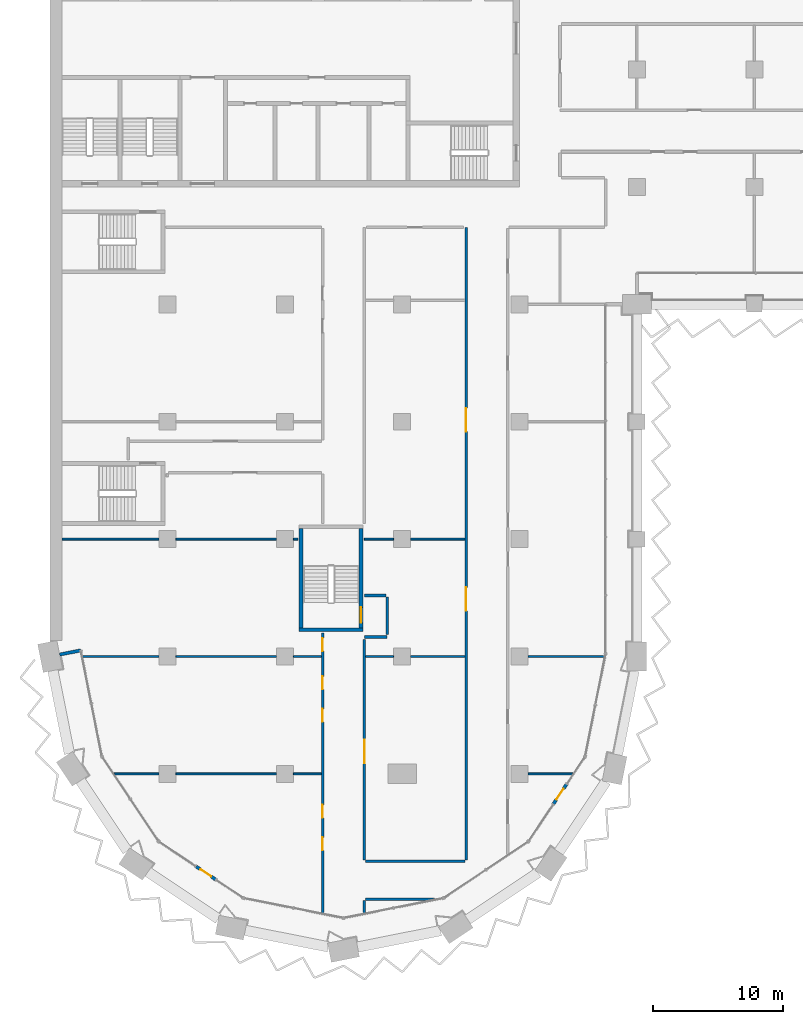
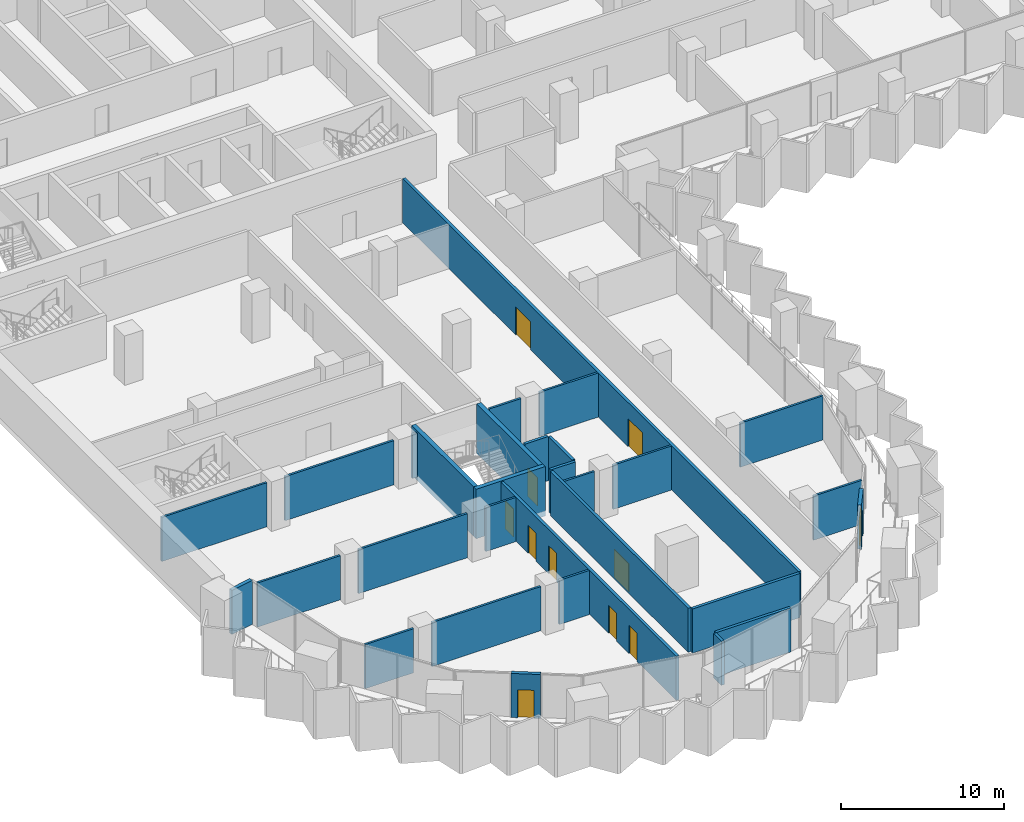
# One storey, part 9 of 23: 30 walls, 11 doors, 11 openings.
"""IFC4 building model written with IfcOpenShell, lengths in metres."""

from ifc_helpers import new_model, si_unit, direction, frame, frame_2d, origin, place, context, subcontext, project, spatial, rectangle, extrude, material, layer, layer_set, type_object, element, fill, save


model = new_model("IFC4")

# Units and contexts
model_context = context("Model", 3, precision=1e-05, world=origin(), true_north=direction((0.0, 1.0)))
body_context = subcontext(model_context, "Body", "Model", "MODEL_VIEW")
ifc_project = project(units=[si_unit("LENGTHUNIT", "METRE"), si_unit("AREAUNIT", "SQUARE_METRE"), si_unit("VOLUMEUNIT", "CUBIC_METRE"), si_unit("PLANEANGLEUNIT", "RADIAN"), si_unit("MASSUNIT", "GRAM", prefix="KILO")], contexts=[model_context])

# Site, building, storey
site_placement = place(None, origin())
site = spatial("IfcSite", under=ifc_project, at=site_placement, CompositionType="ELEMENT")
building_placement = place(site_placement, origin())
building = spatial("IfcBuilding", under=site, at=building_placement, Name="Hunhe Ridgeline Campus", CompositionType="ELEMENT")
storey_placement = place(building_placement, frame((0.0, 0.0, 103.300048828125)))
storey = spatial("IfcBuildingStorey", under=building, at=storey_placement, Name="L25", CompositionType="ELEMENT", Elevation=103.300048828125)

# Walls
ifc_material_1 = material(Name="Concrete C30", Category="concrete")
ifc_layer_1 = layer(ifc_material_1, 0.25)
ifc_layer_set_1 = layer_set([ifc_layer_1], Name="Corner return wall 250 Concrete C30")
wall_type_1 = type_object("IfcWallType", Name="Corner return wall 250 Concrete C30", PredefinedType="SOLIDWALL", material=ifc_layer_set_1)
wall_1_placement = place(storey_placement, frame((0.7353515625, 27.14697265625, 0.0), z_axis=(0.0, 0.0, 1.0), x_axis=(0.980824468215, 0.194893208067, 0.0)))
element("IfcWall", 1, at=wall_1_placement, inside=storey, type_object=wall_type_1, Name="Corner return wall 1", PredefinedType="SOLIDWALL", context=body_context, shape_type="SweptSolid", body=[
    extrude(rectangle(XDim=1.651123046875, YDim=0.25, at=frame_2d((0.82568359375, 0.0))), origin(), (0.0, 0.0, 1.0), 3.300048828125),
])
ifc_material_2 = material(Name="Gypsum board partition")
ifc_layer_2 = layer(ifc_material_2, 0.199951171875)
ifc_layer_set_2 = layer_set([ifc_layer_2], Name="Corridor partition 200 gypsum board on steel studs")
wall_type_2 = type_object("IfcWallType", Name="Corridor partition 200 gypsum board on steel studs", PredefinedType="PARTITIONING", material=ifc_layer_set_2)
wall_2_placement = place(storey_placement, frame((29.472412109375, 8.389892578125, 0.0), z_axis=(0.0, 0.0, 1.0), x_axis=(-1.0, 0.0, 0.0)))
element("IfcWall", 2, at=wall_2_placement, inside=storey, type_object=wall_type_2, Name="F-L25-wall-001", PredefinedType="PARTITIONING", context=body_context, shape_type="SweptSolid", body=[
    extrude(rectangle(XDim=5.2724609375, YDim=0.199951171875, at=frame_2d((2.63623046875, 0.0))), origin(), (0.0, 0.0, 1.0), 3.300048828125),
])
wall_3_placement = place(storey_placement, frame((24.199951171875, 11.299072265625, 0.0), z_axis=(0.0, 0.0, 1.0), x_axis=(1.0, 0.0, 0.0)))
element("IfcWall", 3, at=wall_3_placement, inside=storey, type_object=wall_type_2, Name="F-L25-wall-002", PredefinedType="PARTITIONING", context=body_context, shape_type="SweptSolid", body=[
    extrude(rectangle(XDim=7.60009765625, YDim=0.199951171875, at=frame_2d((3.800048828125, 0.0))), origin(), (0.0, 0.0, 1.0), 3.300048828125),
])
wall_4_placement = place(storey_placement, frame((25.85009765625, 28.5, 0.0), z_axis=(0.0, 0.0, 1.0), x_axis=(-1.0, 0.0, 0.0)))
element("IfcWall", 4, at=wall_4_placement, inside=storey, type_object=wall_type_2, Name="F-L25-wall-013", PredefinedType="PARTITIONING", context=body_context, shape_type="SweptSolid", body=[
    extrude(rectangle(XDim=1.75, YDim=0.199951171875, at=frame_2d((0.875, 0.0))), origin(), (0.0, 0.0, 1.0), 3.300048828125),
])
wall_5_placement = place(storey_placement, frame((24.10400390625, 31.675048828125, 0.0), z_axis=(0.0, 0.0, 1.0), x_axis=(1.0, 0.0, 0.0)))
element("IfcWall", 5, at=wall_5_placement, inside=storey, type_object=wall_type_2, Name="F-L25-wall-014", PredefinedType="PARTITIONING", context=body_context, shape_type="SweptSolid", body=[
    extrude(rectangle(XDim=1.64599609375, YDim=0.199951171875, at=frame_2d((0.822998046875, 0.0))), origin(), (0.0, 0.0, 1.0), 3.300048828125),
])

# Wall, openings, doors
wall_6_placement = place(storey_placement, frame((20.89990234375, 7.3212890625, 0.0), z_axis=(0.0, 0.0, 1.0), x_axis=(0.0, 1.0, 0.0)))
wall_6 = element("IfcWall", 6, at=wall_6_placement, inside=storey, type_object=wall_type_2, Name="F-L25-wall-042", PredefinedType="PARTITIONING", context=body_context, shape_type="SweptSolid", body=[
    extrude(rectangle(XDim=21.474609375, YDim=0.199951171875, at=frame_2d((10.7373046875, 0.0))), origin(), (0.0, 0.0, 1.0), 3.300048828125),
])
opening_1_placement = place(wall_6_placement, frame((4.805419921875, 0.0, 0.0)))
opening_1 = element("IfcOpeningElement", 7, at=opening_1_placement, cuts=wall_6, Name="Opening RD1-001", PredefinedType="OPENING", context=body_context, shape_type="SweptSolid", body=[
    extrude(rectangle(XDim=1.0, YDim=2.10009765625, at=frame_2d((0.5, 1.050048828125))), frame((0.0, 0.10009765625, 0.0), z_axis=(0.0, -1.0, 0.0), x_axis=(1.0, 0.0, 0.0)), (0.0, 0.0, 1.0), 0.199951171875),
])
opening_2_placement = place(wall_6_placement, frame((7.305419921875, 0.0, 0.0)))
opening_2 = element("IfcOpeningElement", 8, at=opening_2_placement, cuts=wall_6, Name="Opening RD1-002", PredefinedType="OPENING", context=body_context, shape_type="SweptSolid", body=[
    extrude(rectangle(XDim=1.0, YDim=2.10009765625, at=frame_2d((0.5, 1.050048828125))), frame((0.0, 0.10009765625, 0.0), z_axis=(0.0, -1.0, 0.0), x_axis=(1.0, 0.0, 0.0)), (0.0, 0.0, 1.0), 0.199951171875),
])
opening_3_placement = place(wall_6_placement, frame((14.65869140625, 0.0, 0.0)))
opening_3 = element("IfcOpeningElement", 9, at=opening_3_placement, cuts=wall_6, Name="Opening RD1-006", PredefinedType="OPENING", context=body_context, shape_type="SweptSolid", body=[
    extrude(rectangle(XDim=1.0, YDim=2.10009765625, at=frame_2d((0.5, 1.050048828125))), frame((0.0, 0.10009765625, 0.0), z_axis=(0.0, -1.0, 0.0), x_axis=(1.0, 0.0, 0.0)), (0.0, 0.0, 1.0), 0.199951171875),
])
opening_4_placement = place(wall_6_placement, frame((17.15869140625, 0.0, 0.0)))
opening_4 = element("IfcOpeningElement", 10, at=opening_4_placement, cuts=wall_6, Name="Opening RD1-007", PredefinedType="OPENING", context=body_context, shape_type="SweptSolid", body=[
    extrude(rectangle(XDim=1.0, YDim=2.10009765625, at=frame_2d((0.5, 1.050048828125))), frame((0.0, 0.10009765625, 0.0), z_axis=(0.0, -1.0, 0.0), x_axis=(1.0, 0.0, 0.0)), (0.0, 0.0, 1.0), 0.199951171875),
])
opening_5_placement = place(wall_6_placement, frame((20.09033203125, 0.0, 0.0)))
opening_5 = element("IfcOpeningElement", 11, at=opening_5_placement, cuts=wall_6, Name="Opening RD1-008", PredefinedType="OPENING", context=body_context, shape_type="SweptSolid", body=[
    extrude(rectangle(XDim=1.0, YDim=2.10009765625, at=frame_2d((0.5, 1.050048828125))), frame((0.0, 0.10009765625, 0.0), z_axis=(0.0, -1.0, 0.0), x_axis=(1.0, 0.0, 0.0)), (0.0, 0.0, 1.0), 0.199951171875),
])
ifc_material_3 = material(Name="Timber door leaf", Category="wood")
door_type_1 = type_object("IfcDoorType", Name="Single fire door 1000x2100 timber FD60", OperationType="NOTDEFINED", PredefinedType="DOOR", material=ifc_material_3)
door_1_placement = place(opening_1_placement, frame((1.0, 0.0, 0.0), z_axis=(0.0, 0.0, 1.0), x_axis=(-1.0, 0.0, 0.0)))
door_1 = element("IfcDoor", 12, at=door_1_placement, inside=storey, type_object=door_type_1, Name="F-L25-door-001", OperationType="SINGLE_SWING_LEFT", OverallHeight=2.10009765625, OverallWidth=1.0, PredefinedType="DOOR", context=body_context, shape_type="SweptSolid", body=[
    extrude(rectangle(XDim=1.0, YDim=2.10009765625, at=frame_2d((0.5, 1.050048828125))), frame((0.0, 0.02490234375, 0.0), z_axis=(0.0, -1.0, 0.0), x_axis=(1.0, 0.0, 0.0)), (0.0, 0.0, 1.0), 0.050048828125),
])
fill(opening_1, door_1)
door_2_placement = place(opening_2_placement, frame((1.0, 0.0, 0.0), z_axis=(0.0, 0.0, 1.0), x_axis=(-1.0, 0.0, 0.0)))
door_2 = element("IfcDoor", 13, at=door_2_placement, inside=storey, type_object=door_type_1, Name="F-L25-door-002", OperationType="SINGLE_SWING_LEFT", OverallHeight=2.10009765625, OverallWidth=1.0, PredefinedType="DOOR", context=body_context, shape_type="SweptSolid", body=[
    extrude(rectangle(XDim=1.0, YDim=2.10009765625, at=frame_2d((0.5, 1.050048828125))), frame((0.0, 0.02490234375, 0.0), z_axis=(0.0, -1.0, 0.0), x_axis=(1.0, 0.0, 0.0)), (0.0, 0.0, 1.0), 0.050048828125),
])
fill(opening_2, door_2)
door_3_placement = place(opening_3_placement, frame((1.0, 0.0, 0.0), z_axis=(0.0, 0.0, 1.0), x_axis=(-1.0, 0.0, 0.0)))
door_3 = element("IfcDoor", 14, at=door_3_placement, inside=storey, type_object=door_type_1, Name="F-L25-door-006", OperationType="SINGLE_SWING_LEFT", OverallHeight=2.10009765625, OverallWidth=1.0, PredefinedType="DOOR", context=body_context, shape_type="SweptSolid", body=[
    extrude(rectangle(XDim=1.0, YDim=2.10009765625, at=frame_2d((0.5, 1.050048828125))), frame((0.0, 0.02490234375, 0.0), z_axis=(0.0, -1.0, 0.0), x_axis=(1.0, 0.0, 0.0)), (0.0, 0.0, 1.0), 0.050048828125),
])
fill(opening_3, door_3)
door_4_placement = place(opening_4_placement, frame((1.0, 0.0, 0.0), z_axis=(0.0, 0.0, 1.0), x_axis=(-1.0, 0.0, 0.0)))
door_4 = element("IfcDoor", 15, at=door_4_placement, inside=storey, type_object=door_type_1, Name="F-L25-door-007", OperationType="SINGLE_SWING_LEFT", OverallHeight=2.10009765625, OverallWidth=1.0, PredefinedType="DOOR", context=body_context, shape_type="SweptSolid", body=[
    extrude(rectangle(XDim=1.0, YDim=2.10009765625, at=frame_2d((0.5, 1.050048828125))), frame((0.0, 0.02490234375, 0.0), z_axis=(0.0, -1.0, 0.0), x_axis=(1.0, 0.0, 0.0)), (0.0, 0.0, 1.0), 0.050048828125),
])
fill(opening_4, door_4)
door_5_placement = place(opening_5_placement, frame((1.0, 0.0, 0.0), z_axis=(0.0, 0.0, 1.0), x_axis=(-1.0, 0.0, 0.0)))
door_5 = element("IfcDoor", 16, at=door_5_placement, inside=storey, type_object=door_type_1, Name="F-L25-door-008", OperationType="SINGLE_SWING_LEFT", OverallHeight=2.10009765625, OverallWidth=1.0, PredefinedType="DOOR", context=body_context, shape_type="SweptSolid", body=[
    extrude(rectangle(XDim=1.0, YDim=2.10009765625, at=frame_2d((0.5, 1.050048828125))), frame((0.0, 0.02490234375, 0.0), z_axis=(0.0, -1.0, 0.0), x_axis=(1.0, 0.0, 0.0)), (0.0, 0.0, 1.0), 0.050048828125),
])
fill(opening_5, door_5)

# Wall
wall_7_placement = place(storey_placement, frame((24.10009765625, 8.2900390625, 0.0), z_axis=(0.0, 0.0, 1.0), x_axis=(0.0, -1.0, 0.0)))
element("IfcWall", 17, at=wall_7_placement, inside=storey, type_object=wall_type_2, Name="F-L25-wall-045", PredefinedType="PARTITIONING", context=body_context, shape_type="SweptSolid", body=[
    extrude(rectangle(XDim=0.96875, YDim=0.199951171875, at=frame_2d((0.484375, 0.0))), origin(), (0.0, 0.0, 1.0), 3.300048828125),
])

# Wall, opening, door
wall_8_placement = place(storey_placement, frame((24.10009765625, 28.296630859375, 0.0), z_axis=(0.0, 0.0, 1.0), x_axis=(0.0, -1.0, 0.0)))
wall_8 = element("IfcWall", 18, at=wall_8_placement, inside=storey, type_object=wall_type_2, Name="F-L25-wall-046", PredefinedType="PARTITIONING", context=body_context, shape_type="SweptSolid", body=[
    extrude(rectangle(XDim=16.897705078125, YDim=0.199951171875, at=frame_2d((8.44873046875, 0.0))), origin(), (0.0, 0.0, 1.0), 3.300048828125),
])
opening_6_placement = place(wall_8_placement, frame((7.67919921875, 0.0, 0.0)))
opening_6 = element("IfcOpeningElement", 19, at=opening_6_placement, cuts=wall_8, Name="Opening RD2-004", PredefinedType="OPENING", context=body_context, shape_type="SweptSolid", body=[
    extrude(rectangle(XDim=1.800048828125, YDim=2.10009765625, at=frame_2d((0.89990234375, 1.050048828125))), frame((0.0, 0.10009765625, 0.0), z_axis=(0.0, -1.0, 0.0), x_axis=(1.0, 0.0, 0.0)), (0.0, 0.0, 1.0), 0.199951171875),
])
door_type_2 = type_object("IfcDoorType", Name="Double fire door 1800x2100 timber FD60", OperationType="DOUBLE_DOOR_SINGLE_SWING", PredefinedType="DOOR", material=ifc_material_3)
door_6_placement = place(opening_6_placement, origin())
door_6 = element("IfcDoor", 20, at=door_6_placement, inside=storey, type_object=door_type_2, Name="F-L25-door-004", OperationType="DOUBLE_DOOR_SINGLE_SWING", OverallHeight=2.10009765625, OverallWidth=1.800048828125, PredefinedType="DOOR", context=body_context, shape_type="SweptSolid", body=[
    extrude(rectangle(XDim=1.800048828125, YDim=2.10009765625, at=frame_2d((0.89990234375, 1.050048828125))), frame((0.0, 0.02490234375, 0.0), z_axis=(0.0, -1.0, 0.0), x_axis=(1.0, 0.0, 0.0)), (0.0, 0.0, 1.0), 0.050048828125),
])
fill(opening_6, door_6)

# Wall
wall_9_placement = place(storey_placement, frame((25.85009765625, 31.574951171875, 0.0), z_axis=(0.0, 0.0, 1.0), x_axis=(0.0, -1.0, 0.0)))
element("IfcWall", 21, at=wall_9_placement, inside=storey, type_object=wall_type_2, Name="F-L25-wall-048", PredefinedType="PARTITIONING", context=body_context, shape_type="SweptSolid", body=[
    extrude(rectangle(XDim=2.89990234375, YDim=0.199951171875, at=frame_2d((1.449951171875, 0.0))), origin(), (0.0, 0.0, 1.0), 3.300048828125),
])

# Wall, openings, doors
wall_10_placement = place(storey_placement, frame((31.89990234375, 11.39892578125, 0.0), z_axis=(0.0, 0.0, 1.0), x_axis=(0.0, 1.0, 0.0)))
wall_10 = element("IfcWall", 22, at=wall_10_placement, inside=storey, type_object=wall_type_2, Name="F-L25-wall-049", PredefinedType="PARTITIONING", context=body_context, shape_type="SweptSolid", body=[
    extrude(rectangle(XDim=48.5009765625, YDim=0.199951171875, at=frame_2d((24.25048828125, 0.0))), origin(), (0.0, 0.0, 1.0), 3.300048828125),
])
opening_7_placement = place(wall_10_placement, frame((19.100341796875, 0.0, 0.0)))
opening_7 = element("IfcOpeningElement", 23, at=opening_7_placement, cuts=wall_10, Name="Opening RD2-009", PredefinedType="OPENING", context=body_context, shape_type="SweptSolid", body=[
    extrude(rectangle(XDim=1.800048828125, YDim=2.10009765625, at=frame_2d((0.89990234375, 1.050048828125))), frame((0.0, 0.10009765625, 0.0), z_axis=(0.0, -1.0, 0.0), x_axis=(1.0, 0.0, 0.0)), (0.0, 0.0, 1.0), 0.199951171875),
])
opening_8_placement = place(wall_10_placement, frame((32.8505859375, 0.0, 0.0)))
opening_8 = element("IfcOpeningElement", 24, at=opening_8_placement, cuts=wall_10, Name="Opening RD2-014", PredefinedType="OPENING", context=body_context, shape_type="SweptSolid", body=[
    extrude(rectangle(XDim=1.800048828125, YDim=2.10009765625, at=frame_2d((0.89990234375, 1.050048828125))), frame((0.0, 0.10009765625, 0.0), z_axis=(0.0, -1.0, 0.0), x_axis=(1.0, 0.0, 0.0)), (0.0, 0.0, 1.0), 0.199951171875),
])
door_7_placement = place(opening_7_placement, origin())
door_7 = element("IfcDoor", 25, at=door_7_placement, inside=storey, type_object=door_type_2, Name="F-L25-door-009", OperationType="DOUBLE_DOOR_SINGLE_SWING", OverallHeight=2.10009765625, OverallWidth=1.800048828125, PredefinedType="DOOR", context=body_context, shape_type="SweptSolid", body=[
    extrude(rectangle(XDim=1.800048828125, YDim=2.10009765625, at=frame_2d((0.89990234375, 1.050048828125))), frame((0.0, 0.02490234375, 0.0), z_axis=(0.0, -1.0, 0.0), x_axis=(1.0, 0.0, 0.0)), (0.0, 0.0, 1.0), 0.050048828125),
])
fill(opening_7, door_7)
door_8_placement = place(opening_8_placement, origin())
door_8 = element("IfcDoor", 26, at=door_8_placement, inside=storey, type_object=door_type_2, Name="F-L25-door-014", OperationType="DOUBLE_DOOR_SINGLE_SWING", OverallHeight=2.10009765625, OverallWidth=1.800048828125, PredefinedType="DOOR", context=body_context, shape_type="SweptSolid", body=[
    extrude(rectangle(XDim=1.800048828125, YDim=2.10009765625, at=frame_2d((0.89990234375, 1.050048828125))), frame((0.0, 0.02490234375, 0.0), z_axis=(0.0, -1.0, 0.0), x_axis=(1.0, 0.0, 0.0)), (0.0, 0.0, 1.0), 0.050048828125),
])
fill(opening_8, door_8)

# Wall, opening, door
ifc_layer_3 = layer(ifc_material_1, 0.25)
ifc_layer_set_3 = layer_set([ifc_layer_3], Name="Loggia door pier wall 250 Concrete C30")
wall_type_3 = type_object("IfcWallType", Name="Loggia door pier wall 250 Concrete C30", PredefinedType="SOLIDWALL", material=ifc_layer_set_3)
wall_11_placement = place(storey_placement, frame((11.19970703125, 10.897705078125, 0.0), z_axis=(0.0, 0.0, 1.0), x_axis=(0.83146554274, -0.555576323502, 0.0)))
wall_11 = element("IfcWall", 27, at=wall_11_placement, inside=storey, type_object=wall_type_3, Name="Loggia door pier 1", PredefinedType="SOLIDWALL", context=body_context, shape_type="SweptSolid", body=[
    extrude(rectangle(XDim=1.800048828125, YDim=0.25, at=frame_2d((0.89990234375, 0.0))), origin(), (0.0, 0.0, 1.0), 3.300048828125),
])
opening_9_placement = place(wall_11_placement, frame((0.39990234375, 0.0, 0.0)))
opening_9 = element("IfcOpeningElement", 28, at=opening_9_placement, cuts=wall_11, Name="Opening BD202", PredefinedType="OPENING", context=body_context, shape_type="SweptSolid", body=[
    extrude(rectangle(XDim=1.0, YDim=2.10009765625, at=frame_2d((0.5, 1.050048828125))), frame((0.0, 0.125, 0.0), z_axis=(0.0, -1.0, 0.0), x_axis=(1.0, 0.0, 0.0)), (0.0, 0.0, 1.0), 0.25),
])
ifc_material_4 = material(Name="Aluminium 6063", Category="aluminium")
door_type_3 = type_object("IfcDoorType", Name="Loggia glazed door 1000x2100", OperationType="NOTDEFINED", PredefinedType="DOOR", material=ifc_material_4)
door_9_placement = place(opening_9_placement, frame((1.0, 0.0, 0.0), z_axis=(0.0, 0.0, 1.0), x_axis=(-1.0, 0.0, 0.0)))
door_9 = element("IfcDoor", 29, at=door_9_placement, inside=storey, type_object=door_type_3, Name="Loggia door BD202", OperationType="SINGLE_SWING_LEFT", OverallHeight=2.10009765625, OverallWidth=1.0, PredefinedType="DOOR", context=body_context, shape_type="SweptSolid", body=[
    extrude(rectangle(XDim=1.0, YDim=2.10009765625, at=frame_2d((0.5, 1.050048828125))), frame((0.0, 0.02490234375, 0.0), z_axis=(0.0, -1.0, 0.0), x_axis=(1.0, 0.0, 0.0)), (0.0, 0.0, 1.0), 0.050048828125),
])
fill(opening_9, door_9)

wall_12_placement = place(storey_placement, frame((38.602294921875, 15.69970703125, 0.0), z_axis=(0.0, 0.0, 1.0), x_axis=(0.555576323502, 0.83146554274, 0.0)))
wall_12 = element("IfcWall", 30, at=wall_12_placement, inside=storey, type_object=wall_type_3, Name="Loggia door pier 2", PredefinedType="SOLIDWALL", context=body_context, shape_type="SweptSolid", body=[
    extrude(rectangle(XDim=1.800048828125, YDim=0.25, at=frame_2d((0.89990234375, 0.0))), origin(), (0.0, 0.0, 1.0), 3.300048828125),
])
opening_10_placement = place(wall_12_placement, frame((0.39990234375, 0.0, 0.0)))
opening_10 = element("IfcOpeningElement", 31, at=opening_10_placement, cuts=wall_12, Name="Opening BD204", PredefinedType="OPENING", context=body_context, shape_type="SweptSolid", body=[
    extrude(rectangle(XDim=1.0, YDim=2.10009765625, at=frame_2d((0.5, 1.050048828125))), frame((0.0, 0.125, 0.0), z_axis=(0.0, -1.0, 0.0), x_axis=(1.0, 0.0, 0.0)), (0.0, 0.0, 1.0), 0.25),
])
door_10_placement = place(opening_10_placement, frame((1.0, 0.0, 0.0), z_axis=(0.0, 0.0, 1.0), x_axis=(-1.0, 0.0, 0.0)))
door_10 = element("IfcDoor", 32, at=door_10_placement, inside=storey, type_object=door_type_3, Name="Loggia door BD204", OperationType="SINGLE_SWING_LEFT", OverallHeight=2.10009765625, OverallWidth=1.0, PredefinedType="DOOR", context=body_context, shape_type="SweptSolid", body=[
    extrude(rectangle(XDim=1.0, YDim=2.10009765625, at=frame_2d((0.5, 1.050048828125))), frame((0.0, 0.02490234375, 0.0), z_axis=(0.0, -1.0, 0.0), x_axis=(1.0, 0.0, 0.0)), (0.0, 0.0, 1.0), 0.050048828125),
])
fill(opening_10, door_10)

# Walls
ifc_layer_4 = layer(ifc_material_2, 0.14990234375)
ifc_layer_set_4 = layer_set([ifc_layer_4], Name="Room partition 150 gypsum board on steel studs")
wall_type_4 = type_object("IfcWallType", Name="Room partition 150 gypsum board on steel studs", PredefinedType="PARTITIONING", material=ifc_layer_set_4)
wall_13_placement = place(storey_placement, frame((4.925537109375, 18.0, 0.0), z_axis=(0.0, 0.0, 1.0), x_axis=(1.0, 0.0, 0.0)))
element("IfcWall", 33, at=wall_13_placement, inside=storey, type_object=wall_type_4, Name="F-L25-wall-003", PredefinedType="PARTITIONING", context=body_context, shape_type="SweptSolid", body=[
    extrude(rectangle(XDim=3.424560546875, YDim=0.14990234375, at=frame_2d((1.71240234375, 0.0))), origin(), (0.0, 0.0, 1.0), 3.300048828125),
])
wall_14_placement = place(storey_placement, frame((9.64990234375, 18.0, 0.0), z_axis=(0.0, 0.0, 1.0), x_axis=(1.0, 0.0, 0.0)))
element("IfcWall", 34, at=wall_14_placement, inside=storey, type_object=wall_type_4, Name="F-L25-wall-004", PredefinedType="PARTITIONING", context=body_context, shape_type="SweptSolid", body=[
    extrude(rectangle(XDim=7.7001953125, YDim=0.14990234375, at=frame_2d((3.85009765625, 0.0))), origin(), (0.0, 0.0, 1.0), 3.300048828125),
])
wall_15_placement = place(storey_placement, frame((18.64990234375, 18.0, 0.0), z_axis=(0.0, 0.0, 1.0), x_axis=(1.0, 0.0, 0.0)))
element("IfcWall", 35, at=wall_15_placement, inside=storey, type_object=wall_type_4, Name="F-L25-wall-005", PredefinedType="PARTITIONING", context=body_context, shape_type="SweptSolid", body=[
    extrude(rectangle(XDim=2.150146484375, YDim=0.14990234375, at=frame_2d((1.0751953125, 0.0))), origin(), (0.0, 0.0, 1.0), 3.300048828125),
])
wall_16_placement = place(storey_placement, frame((36.64990234375, 18.0, 0.0), z_axis=(0.0, 0.0, 1.0), x_axis=(1.0, 0.0, 0.0)))
element("IfcWall", 36, at=wall_16_placement, inside=storey, type_object=wall_type_4, Name="F-L25-wall-006", PredefinedType="PARTITIONING", context=body_context, shape_type="SweptSolid", body=[
    extrude(rectangle(XDim=3.424560546875, YDim=0.14990234375, at=frame_2d((1.71240234375, 0.0))), origin(), (0.0, 0.0, 1.0), 3.300048828125),
])
wall_17_placement = place(storey_placement, frame((2.503173828125, 27.0, 0.0), z_axis=(0.0, 0.0, 1.0), x_axis=(1.0, 0.0, 0.0)))
element("IfcWall", 37, at=wall_17_placement, inside=storey, type_object=wall_type_4, Name="F-L25-wall-007", PredefinedType="PARTITIONING", context=body_context, shape_type="SweptSolid", body=[
    extrude(rectangle(XDim=5.846923828125, YDim=0.14990234375, at=frame_2d((2.92333984375, 0.0))), origin(), (0.0, 0.0, 1.0), 3.300048828125),
])
wall_18_placement = place(storey_placement, frame((9.64990234375, 27.0, 0.0), z_axis=(0.0, 0.0, 1.0), x_axis=(1.0, 0.0, 0.0)))
element("IfcWall", 38, at=wall_18_placement, inside=storey, type_object=wall_type_4, Name="F-L25-wall-008", PredefinedType="PARTITIONING", context=body_context, shape_type="SweptSolid", body=[
    extrude(rectangle(XDim=7.7001953125, YDim=0.14990234375, at=frame_2d((3.85009765625, 0.0))), origin(), (0.0, 0.0, 1.0), 3.300048828125),
])
for number, where, z_axis, x_axis, name in (
    (39, (18.64990234375, 27.0, 0.0), (0.0, 0.0, 1.0), (1.0, 0.0, 0.0), "F-L25-wall-009"),
    (40, (24.199951171875, 27.0, 0.0), (0.0, 0.0, 1.0), (1.0, 0.0, 0.0), "F-L25-wall-010"),
):
    element("IfcWall", number, at=place(storey_placement, frame(where, z_axis=z_axis, x_axis=x_axis)), inside=storey, type_object=wall_type_4, Name=name, PredefinedType="PARTITIONING", context=body_context, shape_type="SweptSolid", body=[
        extrude(rectangle(XDim=2.150146484375, YDim=0.14990234375, at=frame_2d((1.0751953125, 0.0))), origin(), (0.0, 0.0, 1.0), 3.300048828125),
    ])
wall_19_placement = place(storey_placement, frame((27.64990234375, 27.0, 0.0), z_axis=(0.0, 0.0, 1.0), x_axis=(1.0, 0.0, 0.0)))
element("IfcWall", 41, at=wall_19_placement, inside=storey, type_object=wall_type_4, Name="F-L25-wall-011", PredefinedType="PARTITIONING", context=body_context, shape_type="SweptSolid", body=[
    extrude(rectangle(XDim=4.150146484375, YDim=0.14990234375, at=frame_2d((2.0751953125, 0.0))), origin(), (0.0, 0.0, 1.0), 3.300048828125),
])
wall_20_placement = place(storey_placement, frame((36.64990234375, 27.0, 0.0), z_axis=(0.0, 0.0, 1.0), x_axis=(1.0, 0.0, 0.0)))
element("IfcWall", 42, at=wall_20_placement, inside=storey, type_object=wall_type_4, Name="F-L25-wall-012", PredefinedType="PARTITIONING", context=body_context, shape_type="SweptSolid", body=[
    extrude(rectangle(XDim=5.846923828125, YDim=0.14990234375, at=frame_2d((2.92333984375, 0.0))), origin(), (0.0, 0.0, 1.0), 3.300048828125),
])
wall_21_placement = place(storey_placement, frame((0.919921875, 36.0, 0.0), z_axis=(0.0, 0.0, 1.0), x_axis=(1.0, 0.0, 0.0)))
element("IfcWall", 43, at=wall_21_placement, inside=storey, type_object=wall_type_4, Name="F-L25-wall-015", PredefinedType="PARTITIONING", context=body_context, shape_type="SweptSolid", body=[
    extrude(rectangle(XDim=7.43017578125, YDim=0.14990234375, at=frame_2d((3.715087890625, 0.0))), origin(), (0.0, 0.0, 1.0), 3.300048828125),
])
wall_22_placement = place(storey_placement, frame((9.64990234375, 36.0, 0.0), z_axis=(0.0, 0.0, 1.0), x_axis=(1.0, 0.0, 0.0)))
element("IfcWall", 44, at=wall_22_placement, inside=storey, type_object=wall_type_4, Name="F-L25-wall-016", PredefinedType="PARTITIONING", context=body_context, shape_type="SweptSolid", body=[
    extrude(rectangle(XDim=7.7001953125, YDim=0.14990234375, at=frame_2d((3.85009765625, 0.0))), origin(), (0.0, 0.0, 1.0), 3.300048828125),
])
wall_23_placement = place(storey_placement, frame((18.64990234375, 36.0, 0.0), z_axis=(0.0, 0.0, 1.0), x_axis=(1.0, 0.0, 0.0)))
element("IfcWall", 45, at=wall_23_placement, inside=storey, type_object=wall_type_4, Name="F-L25-wall-017", PredefinedType="PARTITIONING", context=body_context, shape_type="SweptSolid", body=[
    extrude(rectangle(XDim=0.34619140625, YDim=0.14990234375, at=frame_2d((0.173095703125, 0.0))), origin(), (0.0, 0.0, 1.0), 3.300048828125),
])
wall_24_placement = place(storey_placement, frame((24.10400390625, 36.0, 0.0), z_axis=(0.0, 0.0, 1.0), x_axis=(1.0, 0.0, 0.0)))
element("IfcWall", 46, at=wall_24_placement, inside=storey, type_object=wall_type_4, Name="F-L25-wall-018", PredefinedType="PARTITIONING", context=body_context, shape_type="SweptSolid", body=[
    extrude(rectangle(XDim=2.24609375, YDim=0.14990234375, at=frame_2d((1.123046875, 0.0))), origin(), (0.0, 0.0, 1.0), 3.300048828125),
])
wall_25_placement = place(storey_placement, frame((27.64990234375, 36.0, 0.0), z_axis=(0.0, 0.0, 1.0), x_axis=(1.0, 0.0, 0.0)))
element("IfcWall", 47, at=wall_25_placement, inside=storey, type_object=wall_type_4, Name="F-L25-wall-019", PredefinedType="PARTITIONING", context=body_context, shape_type="SweptSolid", body=[
    extrude(rectangle(XDim=4.150146484375, YDim=0.14990234375, at=frame_2d((2.0751953125, 0.0))), origin(), (0.0, 0.0, 1.0), 3.300048828125),
])
ifc_material_5 = material(Name="Concrete C80", Category="concrete")
ifc_layer_5 = layer(ifc_material_5, 0.300048828125)
ifc_layer_set_5 = layer_set([ifc_layer_5], Name="Stair wall 300 reinforced concrete C80")
wall_type_5 = type_object("IfcWallType", Name="Stair wall 300 reinforced concrete C80", PredefinedType="SOLIDWALL", material=ifc_layer_set_5)
wall_26_placement = place(storey_placement, frame((19.10009765625, 29.050048828125, -0.400146484375), z_axis=(0.0, 0.0, 1.0), x_axis=(1.0, 0.0, 0.0)))
element("IfcWall", 48, at=wall_26_placement, inside=storey, type_object=wall_type_5, Name="L25 core wall 1", PredefinedType="SOLIDWALL", context=body_context, shape_type="SweptSolid", body=[
    extrude(rectangle(XDim=4.89990234375, YDim=0.300048828125, at=frame_2d((2.449951171875, 0.0))), origin(), (0.0, 0.0, 1.0), 3.7001953125),
])
wall_27_placement = place(storey_placement, frame((19.25, 29.199951171875, -0.400146484375), z_axis=(0.0, 0.0, 1.0), x_axis=(0.0, 1.0, 0.0)))
element("IfcWall", 49, at=wall_27_placement, inside=storey, type_object=wall_type_5, Name="L25 core wall 47", PredefinedType="SOLIDWALL", context=body_context, shape_type="SweptSolid", body=[
    extrude(rectangle(XDim=7.60009765625, YDim=0.300048828125, at=frame_2d((3.800048828125, 0.0))), origin(), (0.0, 0.0, 1.0), 3.7001953125),
])

# Wall, opening, door
wall_28_placement = place(storey_placement, frame((23.85009765625, 29.199951171875, -0.400146484375), z_axis=(0.0, 0.0, 1.0), x_axis=(0.0, 1.0, 0.0)))
wall_28 = element("IfcWall", 50, at=wall_28_placement, inside=storey, type_object=wall_type_5, Name="L25 core wall 52", PredefinedType="SOLIDWALL", context=body_context, shape_type="SweptSolid", body=[
    extrude(rectangle(XDim=7.60009765625, YDim=0.300048828125, at=frame_2d((3.800048828125, 0.0))), origin(), (0.0, 0.0, 1.0), 3.7001953125),
])
opening_11_placement = place(wall_28_placement, frame((0.375, 0.0, 0.39990234375)))
opening_11 = element("IfcOpeningElement", 51, at=opening_11_placement, cuts=wall_28, Name="Opening CD23", PredefinedType="OPENING", context=body_context, shape_type="SweptSolid", body=[
    extrude(rectangle(XDim=1.199951171875, YDim=2.10009765625, at=frame_2d((0.60009765625, 1.050048828125))), frame((0.0, 0.14990234375, 0.0), z_axis=(0.0, -1.0, 0.0), x_axis=(1.0, 0.0, 0.0)), (0.0, 0.0, 1.0), 0.300048828125),
])
ifc_material_6 = material(Name="Hollow metal fire door leaf")
door_type_4 = type_object("IfcDoorType", Name="Stair door 1200x2100 FD60", OperationType="SINGLE_SWING_LEFT", PredefinedType="DOOR", material=ifc_material_6)
door_11_placement = place(opening_11_placement, frame((1.199951171875, 0.0, 0.0), z_axis=(0.0, 0.0, 1.0), x_axis=(-1.0, 0.0, 0.0)))
door_11 = element("IfcDoor", 52, at=door_11_placement, inside=storey, type_object=door_type_4, Name="L25 door W3", OperationType="SINGLE_SWING_LEFT", OverallHeight=2.10009765625, OverallWidth=1.199951171875, PredefinedType="DOOR", context=body_context, shape_type="SweptSolid", body=[
    extrude(rectangle(XDim=1.199951171875, YDim=2.10009765625, at=frame_2d((0.60009765625, 1.050048828125))), frame((0.0, 0.02490234375, 0.0), z_axis=(0.0, -1.0, 0.0), x_axis=(1.0, 0.0, 0.0)), (0.0, 0.0, 1.0), 0.050048828125),
])
fill(opening_11, door_11)

save(model, "model.ifc")
